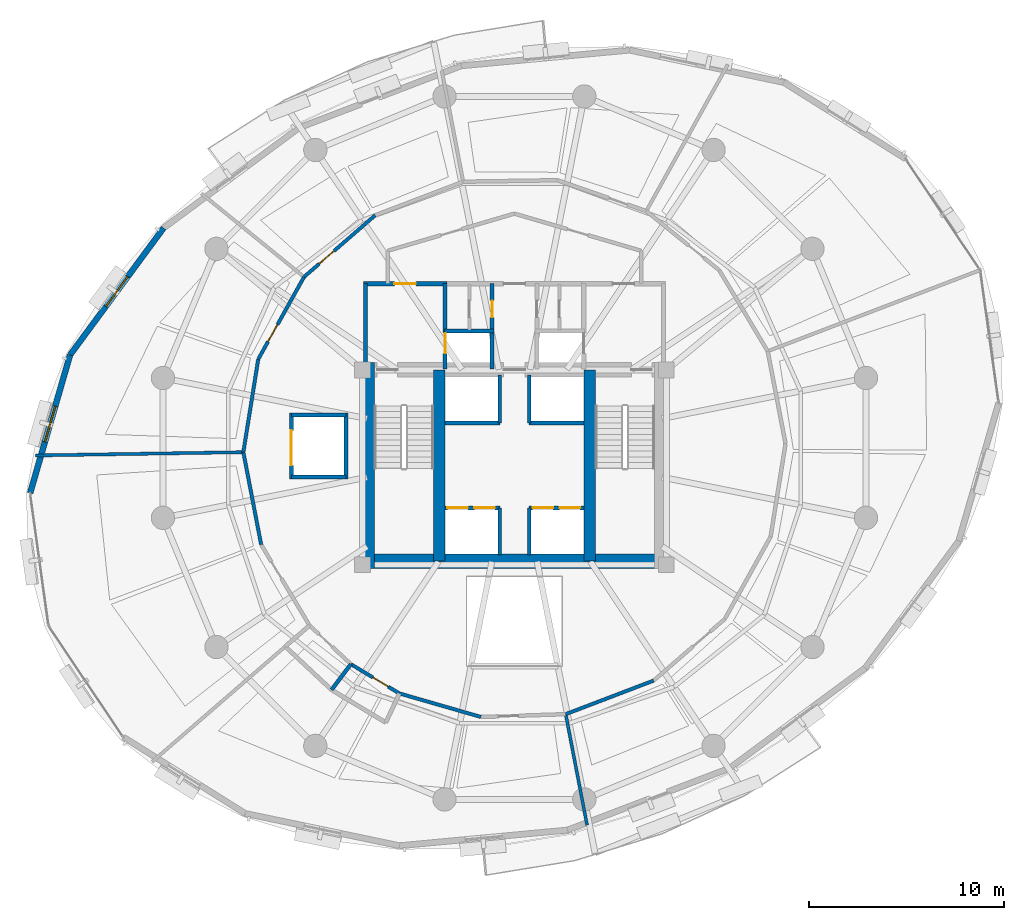
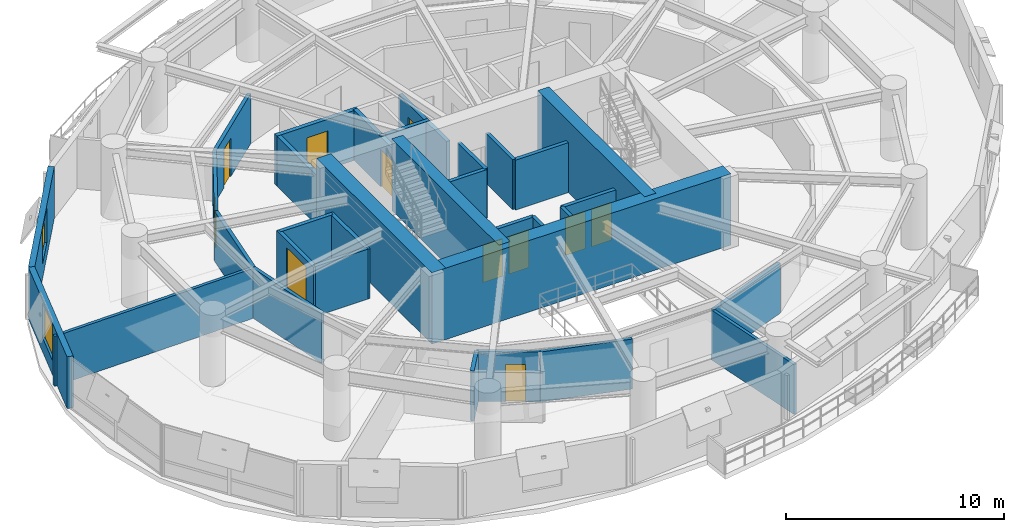
# One storey, part 10 of 15: 33 walls, 11 doors, 2 windows, 13 openings.
"""IFC4 building model written with IfcOpenShell, lengths in metres."""

from ifc_helpers import new_model, si_unit, direction, frame, frame_2d, origin, place, context, subcontext, project, spatial, rectangle, extrude, material, layer, layer_set, type_object, element, fill, save


model = new_model("IFC4")

# Units and contexts
model_context = context("Model", 3, precision=1e-05, world=origin(), true_north=direction((0.0, 1.0)))
body_context = subcontext(model_context, "Body", "Model", "MODEL_VIEW")
ifc_project = project(units=[si_unit("LENGTHUNIT", "METRE"), si_unit("AREAUNIT", "SQUARE_METRE"), si_unit("VOLUMEUNIT", "CUBIC_METRE"), si_unit("PLANEANGLEUNIT", "RADIAN"), si_unit("MASSUNIT", "GRAM", prefix="KILO"), si_unit("THERMODYNAMICTEMPERATUREUNIT", "KELVIN"), si_unit("POWERUNIT", "WATT")], contexts=[model_context])

# Site, building, storey
site_placement = place(None, origin())
site = spatial("IfcSite", under=ifc_project, at=site_placement, CompositionType="ELEMENT")
building_placement = place(site_placement, origin())
building = spatial("IfcBuilding", under=site, at=building_placement, Name="Ocrelia Relay Tower", CompositionType="ELEMENT")
storey_placement = place(building_placement, frame((0.0, 0.0, 121.800048828125)))
storey = spatial("IfcBuildingStorey", under=building, at=storey_placement, Name="L28", CompositionType="ELEMENT", Elevation=121.800048828125)

# Walls
ifc_material_1 = material(Name="Concrete C60/75", Category="concrete")
ifc_layer_1 = layer(ifc_material_1, 0.75, Name="Concrete C60/75")
ifc_layer_set_1 = layer_set([ifc_layer_1], Name="Concrete C60/75")
wall_type_1 = type_object("IfcWallType", Name="CW-CORE-750", PredefinedType="SHEAR", material=ifc_layer_set_1)
wall_1_placement = place(storey_placement, frame((26.072021484375, 20.18701171875, 0.0), z_axis=(0.0, 0.0, 1.0), x_axis=(1.0, 0.0, 0.0)))
element("IfcWall", 1, at=wall_1_placement, inside=storey, type_object=wall_type_1, Name="L28 Core Shear Wall S", PredefinedType="SHEAR", context=body_context, shape_type="SweptSolid", body=[
    extrude(rectangle(XDim=15.865966796875, YDim=0.75, at=frame_2d((7.93310546875, 0.0))), origin(), (0.0, 0.0, 1.0), 4.0),
])
wall_2_placement = place(storey_placement, frame((26.447021484375, 19.81201171875, 0.0), z_axis=(0.0, 0.0, 1.0), x_axis=(0.0, 1.0, 0.0)))
element("IfcWall", 2, at=wall_2_placement, inside=storey, type_object=wall_type_1, Name="L28 Core Shear Wall W", PredefinedType="SHEAR", context=body_context, shape_type="SweptSolid", body=[
    extrude(rectangle(XDim=10.575927734375, YDim=0.75, at=frame_2d((5.2880859375, 0.0))), origin(), (0.0, 0.0, 1.0), 4.0),
])
for number, where, z_axis, x_axis, name in (
    (3, (30.137939453125, 20.18701171875, 0.0), (0.0, 0.0, 1.0), (0.0, 1.0, 0.0), "L28 Core Shear Wall SPW"),
    (4, (37.8720703125, 20.18701171875, 0.0), (0.0, 0.0, 1.0), (0.0, 1.0, 0.0), "L28 Core Shear Wall SPE"),
):
    element("IfcWall", number, at=place(storey_placement, frame(where, z_axis=z_axis, x_axis=x_axis)), inside=storey, type_object=wall_type_1, Name=name, PredefinedType="SHEAR", context=body_context, shape_type="SweptSolid", body=[
        extrude(rectangle(XDim=9.825927734375, YDim=0.60009765625, at=frame_2d((4.9130859375, 0.0))), origin(), (0.0, 0.0, 1.0), 4.0),
    ])

# Wall, opening, door
ifc_material_2 = material(Name="Gypsum Fireboard Partition EI60", Category="gypsum")
ifc_layer_2 = layer(ifc_material_2, 0.179931640625, Name="Gypsum Fireboard Partition EI60")
ifc_layer_set_2 = layer_set([ifc_layer_2], Name="Gypsum Fireboard Partition EI60")
wall_type_2 = type_object("IfcWallType", Name="W-CORR-EI60-180", PredefinedType="PARTITIONING", material=ifc_layer_set_2)
wall_3_placement = place(storey_placement, frame((25.603271484375, 14.897705078125, 0.0), z_axis=(0.0, 0.0, 1.0), x_axis=(0.856276585025, -0.516517579504, 0.0)))
wall_3 = element("IfcWall", 5, at=wall_3_placement, inside=storey, type_object=wall_type_2, Name="L28 Accessible Toilet Corridor Wall", PredefinedType="PARTITIONING", context=body_context, shape_type="SweptSolid", body=[
    extrude(rectangle(XDim=2.91015625, YDim=0.179931640625, at=frame_2d((1.455078125, 0.0))), origin(), (0.0, 0.0, 1.0), 2.800048828125),
])
opening_1_placement = place(wall_3_placement, frame((1.321044921875, 0.0, 0.0)))
opening_1 = element("IfcOpeningElement", 6, at=opening_1_placement, cuts=wall_3, Name="Opening D-WC92", PredefinedType="OPENING", context=body_context, shape_type="SweptSolid", body=[
    extrude(rectangle(XDim=0.919921875, YDim=2.10009765625, at=frame_2d((0.4599609375, 1.050048828125))), frame((0.0, 0.10009765625, 0.0), z_axis=(0.0, -1.0, 0.0), x_axis=(1.0, 0.0, 0.0)), (0.0, 0.0, 1.0), 0.199951171875),
])
ifc_material_3 = material(Name="Laminate washroom door", Category="wood")
door_type_1 = type_object("IfcDoorType", Name="DR-WC-920", OperationType="NOTDEFINED", PredefinedType="DOOR", material=ifc_material_3)
door_1_placement = place(opening_1_placement, origin())
door_1 = element("IfcDoor", 7, at=door_1_placement, inside=storey, type_object=door_type_1, Name="L28 Accessible Toilet Door", OperationType="SINGLE_SWING_LEFT", OverallHeight=2.10009765625, OverallWidth=0.919921875, PredefinedType="DOOR", context=body_context, shape_type="SweptSolid", body=[
    extrude(rectangle(XDim=0.919921875, YDim=2.10009765625, at=frame_2d((0.4599609375, 1.050048828125))), frame((0.0, 0.02490234375, 0.0), z_axis=(0.0, -1.0, 0.0), x_axis=(1.0, 0.0, 0.0)), (0.0, 0.0, 1.0), 0.050048828125),
])
fill(opening_1, door_1)

# Walls
wall_4_placement = place(storey_placement, frame((28.09521484375, 13.39453125, 0.0), z_axis=(0.0, 0.0, 1.0), x_axis=(0.960777931748, -0.277318888404, 0.0)))
element("IfcWall", 8, at=wall_4_placement, inside=storey, type_object=wall_type_2, Name="L28 Innovation Club Room Corridor Partition 1", PredefinedType="PARTITIONING", context=body_context, shape_type="SweptSolid", body=[
    extrude(rectangle(XDim=4.355224609375, YDim=0.179931640625, at=frame_2d((2.177734375, 0.0))), origin(), (0.0, 0.0, 1.0), 2.800048828125),
])
wall_5_placement = place(storey_placement, frame((36.632080078125, 12.3310546875, 0.0), z_axis=(0.0, 0.0, 1.0), x_axis=(0.934205840652, 0.356734421232, 0.0)))
element("IfcWall", 9, at=wall_5_placement, inside=storey, type_object=wall_type_2, Name="L28 Optical Switching Hall A Corridor Partition 1", PredefinedType="PARTITIONING", context=body_context, shape_type="SweptSolid", body=[
    extrude(rectangle(XDim=4.83447265625, YDim=0.179931640625, at=frame_2d((2.417236328125, 0.0))), origin(), (0.0, 0.0, 1.0), 2.800048828125),
])

# Wall, opening, door
wall_6_placement = place(storey_placement, frame((26.8515625, 37.9443359375, 0.0), z_axis=(0.0, 0.0, 1.0), x_axis=(-0.755849022926, -0.654745946564, 0.0)))
wall_6 = element("IfcWall", 10, at=wall_6_placement, inside=storey, type_object=wall_type_2, Name="L28 Staff Wellness Room Corridor Partition 2", PredefinedType="PARTITIONING", context=body_context, shape_type="SweptSolid", body=[
    extrude(rectangle(XDim=4.83447265625, YDim=0.179931640625, at=frame_2d((2.417236328125, 0.0))), origin(), (0.0, 0.0, 1.0), 2.800048828125),
])
opening_2_placement = place(wall_6_placement, frame((2.80078125, 0.0, 0.0)))
opening_2 = element("IfcOpeningElement", 11, at=opening_2_placement, cuts=wall_6, Name="Opening D-RM100", PredefinedType="OPENING", context=body_context, shape_type="SweptSolid", body=[
    extrude(rectangle(XDim=1.0, YDim=2.14990234375, at=frame_2d((0.5, 1.074951171875))), frame((0.0, 0.10009765625, 0.0), z_axis=(0.0, -1.0, 0.0), x_axis=(1.0, 0.0, 0.0)), (0.0, 0.0, 1.0), 0.199951171875),
])
ifc_material_4 = material(Name="Acoustic oak veneer fire door", Category="wood")
door_type_2 = type_object("IfcDoorType", Name="DR-ROOM-FD60-1000", OperationType="NOTDEFINED", PredefinedType="DOOR", material=ifc_material_4)
door_2_placement = place(opening_2_placement, origin())
door_2 = element("IfcDoor", 12, at=door_2_placement, inside=storey, type_object=door_type_2, Name="L28 Staff Wellness Room Entrance Door", OperationType="SINGLE_SWING_RIGHT", OverallHeight=2.14990234375, OverallWidth=1.0, PredefinedType="DOOR", context=body_context, shape_type="SweptSolid", body=[
    extrude(rectangle(XDim=1.0, YDim=2.14990234375, at=frame_2d((0.5, 1.074951171875))), frame((0.0, 0.02490234375, 0.0), z_axis=(0.0, -1.0, 0.0), x_axis=(1.0, 0.0, 0.0)), (0.0, 0.0, 1.0), 0.050048828125),
])
fill(opening_2, door_2)

wall_7_placement = place(storey_placement, frame((23.197509765625, 34.779052734375, 0.0), z_axis=(0.0, 0.0, 1.0), x_axis=(-0.486367394504, -0.873754403459, 0.0)))
wall_7 = element("IfcWall", 13, at=wall_7_placement, inside=storey, type_object=wall_type_2, Name="L28 Shift Staff Lounge Corridor Partition 1", PredefinedType="PARTITIONING", context=body_context, shape_type="SweptSolid", body=[
    extrude(rectangle(XDim=4.83447265625, YDim=0.179931640625, at=frame_2d((2.417236328125, 0.0))), origin(), (0.0, 0.0, 1.0), 2.800048828125),
])
opening_3_placement = place(wall_7_placement, frame((2.80078125, 0.0, 0.0)))
opening_3 = element("IfcOpeningElement", 14, at=opening_3_placement, cuts=wall_7, Name="Opening D-RM100", PredefinedType="OPENING", context=body_context, shape_type="SweptSolid", body=[
    extrude(rectangle(XDim=1.0, YDim=2.14990234375, at=frame_2d((0.5, 1.074951171875))), frame((0.0, 0.10009765625, 0.0), z_axis=(0.0, -1.0, 0.0), x_axis=(1.0, 0.0, 0.0)), (0.0, 0.0, 1.0), 0.199951171875),
])
door_3_placement = place(opening_3_placement, origin())
door_3 = element("IfcDoor", 15, at=door_3_placement, inside=storey, type_object=door_type_2, Name="L28 Shift Staff Lounge Entrance Door", OperationType="SINGLE_SWING_LEFT", OverallHeight=2.14990234375, OverallWidth=1.0, PredefinedType="DOOR", context=body_context, shape_type="SweptSolid", body=[
    extrude(rectangle(XDim=1.0, YDim=2.14990234375, at=frame_2d((0.5, 1.074951171875))), frame((0.0, 0.02490234375, 0.0), z_axis=(0.0, -1.0, 0.0), x_axis=(1.0, 0.0, 0.0)), (0.0, 0.0, 1.0), 0.050048828125),
])
fill(opening_3, door_3)

# Walls
wall_8_placement = place(storey_placement, frame((20.84619140625, 30.554931640625, 0.0), z_axis=(0.0, 0.0, 1.0), x_axis=(-0.158122467289, -0.987419508283, 0.0)))
element("IfcWall", 16, at=wall_8_placement, inside=storey, type_object=wall_type_2, Name="L28 Shift Staff Lounge Corridor Partition 2", PredefinedType="PARTITIONING", context=body_context, shape_type="SweptSolid", body=[
    extrude(rectangle(XDim=4.834228515625, YDim=0.179931640625, at=frame_2d((2.4169921875, 0.0))), origin(), (0.0, 0.0, 1.0), 2.800048828125),
])
wall_9_placement = place(storey_placement, frame((20.081787109375, 25.781494140625, 0.0), z_axis=(0.0, 0.0, 1.0), x_axis=(0.18907027834, -0.98196355831, 0.0)))
element("IfcWall", 17, at=wall_9_placement, inside=storey, type_object=wall_type_2, Name="L28 Executive Reading Study Corridor Partition 1", PredefinedType="PARTITIONING", context=body_context, shape_type="SweptSolid", body=[
    extrude(rectangle(XDim=4.83447265625, YDim=0.179931640625, at=frame_2d((2.417236328125, 0.0))), origin(), (0.0, 0.0, 1.0), 2.800048828125),
])

# Wall, opening, window
ifc_material_5 = material(Name="Precast concrete C40/50 with oxide terracotta", Category="masonry")
ifc_layer_3 = layer(ifc_material_5, 0.300048828125, Name="Precast concrete C40/50 with oxide terracotta")
ifc_layer_set_3 = layer_set([ifc_layer_3], Name="Precast concrete C40/50 with oxide terracotta")
wall_type_3 = type_object("IfcWallType", Name="W-EXT-TERR-300", PredefinedType="SOLIDWALL", material=ifc_layer_set_3)
wall_10_placement = place(storey_placement, frame((15.98681640625, 37.291015625, 0.0), z_axis=(0.0, 0.0, 1.0), x_axis=(-0.593159944835, -0.805084641416, 0.0)))
wall_10 = element("IfcWall", 18, at=wall_10_placement, inside=storey, type_object=wall_type_3, Name="L28 Oxide Terracotta Facade Wall 07", PredefinedType="SOLIDWALL", context=body_context, shape_type="SweptSolid", body=[
    extrude(rectangle(XDim=8.09521484375, YDim=0.300048828125, at=frame_2d((4.047607421875, 0.0))), origin(), (0.0, 0.0, 1.0), 2.89990234375),
])
opening_4_placement = place(wall_10_placement, frame((3.097900390625, 0.0, 0.800048828125)))
opening_4 = element("IfcOpeningElement", 19, at=opening_4_placement, cuts=wall_10, Name="Opening W-06", PredefinedType="OPENING", context=body_context, shape_type="SweptSolid", body=[
    extrude(rectangle(XDim=1.89990234375, YDim=1.949951171875, at=frame_2d((0.949951171875, 0.97509765625))), frame((0.0, 0.16015625, 0.0), z_axis=(0.0, -1.0, 0.0), x_axis=(1.0, 0.0, 0.0)), (0.0, 0.0, 1.0), 0.320068359375),
])
ifc_material_6 = material(Name="Clear double-glazed low-E glass", Category="glass")
window_type = type_object("IfcWindowType", Name="WIN-Z2-1900x2100", PartitioningType="DOUBLE_PANEL_VERTICAL", PredefinedType="WINDOW", material=ifc_material_6)
window_1_placement = place(opening_4_placement, origin())
window_1 = element("IfcWindow", 20, at=window_1_placement, inside=storey, type_object=window_type, Name="L28 Facade Module Window 07", OverallHeight=1.949951171875, OverallWidth=1.89990234375, PartitioningType="SINGLE_PANEL", PredefinedType="WINDOW", context=body_context, shape_type="SweptSolid", body=[
    extrude(rectangle(XDim=1.89990234375, YDim=1.949951171875, at=frame_2d((0.949951171875, 0.97509765625))), frame((0.0, 0.030029296875, 0.0), z_axis=(0.0, -1.0, 0.0), x_axis=(1.0, 0.0, 0.0)), (0.0, 0.0, 1.0), 0.06005859375),
])
fill(opening_4, window_1)

wall_11_placement = place(storey_placement, frame((11.18505859375, 30.773681640625, 0.0), z_axis=(0.0, 0.0, 1.0), x_axis=(-0.277637317475, -0.960685963229, 0.0)))
wall_11 = element("IfcWall", 21, at=wall_11_placement, inside=storey, type_object=wall_type_3, Name="L28 Oxide Terracotta Facade Wall 08", PredefinedType="SOLIDWALL", context=body_context, shape_type="SweptSolid", body=[
    extrude(rectangle(XDim=7.383056640625, YDim=0.300048828125, at=frame_2d((3.69140625, 0.0))), origin(), (0.0, 0.0, 1.0), 2.89990234375),
])
opening_5_placement = place(wall_11_placement, frame((2.741943359375, 0.0, 0.800048828125)))
opening_5 = element("IfcOpeningElement", 22, at=opening_5_placement, cuts=wall_11, Name="Opening W-06", PredefinedType="OPENING", context=body_context, shape_type="SweptSolid", body=[
    extrude(rectangle(XDim=1.89990234375, YDim=1.949951171875, at=frame_2d((0.949951171875, 0.97509765625))), frame((0.0, 0.16015625, 0.0), z_axis=(0.0, -1.0, 0.0), x_axis=(1.0, 0.0, 0.0)), (0.0, 0.0, 1.0), 0.320068359375),
])
window_2_placement = place(opening_5_placement, origin())
window_2 = element("IfcWindow", 23, at=window_2_placement, inside=storey, type_object=window_type, Name="L28 Facade Module Window 08", OverallHeight=1.949951171875, OverallWidth=1.89990234375, PartitioningType="SINGLE_PANEL", PredefinedType="WINDOW", context=body_context, shape_type="SweptSolid", body=[
    extrude(rectangle(XDim=1.89990234375, YDim=1.949951171875, at=frame_2d((0.949951171875, 0.97509765625))), frame((0.0, 0.030029296875, 0.0), z_axis=(0.0, -1.0, 0.0), x_axis=(1.0, 0.0, 0.0)), (0.0, 0.0, 1.0), 0.06005859375),
])
fill(opening_5, window_2)

# Wall
ifc_material_7 = material(Name="Concrete C50/60", Category="concrete")
ifc_layer_4 = layer(ifc_material_7, 0.219970703125, Name="Concrete C50/60")
ifc_layer_set_4 = layer_set([ifc_layer_4], Name="Concrete C50/60")
wall_type_4 = type_object("IfcWallType", Name="W-FFL-EI120-220", PredefinedType="SOLIDWALL", material=ifc_layer_set_4)
wall_12_placement = place(storey_placement, frame((26.35009765625, 30.050048828125, 0.0), z_axis=(0.0, 0.0, 1.0), x_axis=(0.0, 1.0, 0.0)))
element("IfcWall", 24, at=wall_12_placement, inside=storey, type_object=wall_type_4, Name="L28 W Fire Service Lift Lobby West Wall", PredefinedType="SOLIDWALL", context=body_context, shape_type="SweptSolid", body=[
    extrude(rectangle(XDim=4.3798828125, YDim=0.219970703125, at=frame_2d((2.18994140625, 0.0))), origin(), (0.0, 0.0, 1.0), 2.800048828125),
])

# Wall, opening, door
wall_13_placement = place(storey_placement, frame((30.43994140625, 30.050048828125, 0.0), z_axis=(0.0, 0.0, 1.0), x_axis=(0.0, 1.0, 0.0)))
wall_13 = element("IfcWall", 25, at=wall_13_placement, inside=storey, type_object=wall_type_4, Name="L28 W Fire Service Lift Lobby East Wall", PredefinedType="SOLIDWALL", context=body_context, shape_type="SweptSolid", body=[
    extrude(rectangle(XDim=4.3798828125, YDim=0.219970703125, at=frame_2d((2.18994140625, 0.0))), origin(), (0.0, 0.0, 1.0), 2.800048828125),
])
opening_6_placement = place(wall_13_placement, frame((0.800048828125, 0.0, 0.0)))
opening_6 = element("IfcOpeningElement", 26, at=opening_6_placement, cuts=wall_13, Name="Opening LD-FFL1", PredefinedType="OPENING", context=body_context, shape_type="SweptSolid", body=[
    extrude(rectangle(XDim=1.050048828125, YDim=2.10009765625, at=frame_2d((0.52490234375, 1.050048828125))), frame((0.0, 0.1201171875, 0.0), z_axis=(0.0, -1.0, 0.0), x_axis=(1.0, 0.0, 0.0)), (0.0, 0.0, 1.0), 0.239990234375),
])
ifc_material_8 = material(Name="Brushed stainless steel S355 lift landing door", Category="steel")
door_type_3 = type_object("IfcDoorType", Name="DR-LIFT-LAND-1050", OperationType="DOUBLE_DOOR_SLIDING", PredefinedType="USERDEFINED", material=ifc_material_8)
door_4_placement = place(opening_6_placement, origin())
door_4 = element("IfcDoor", 27, at=door_4_placement, inside=storey, type_object=door_type_3, Name="L28 Firefighting Lift FFL1 Sliding Landing Door", ObjectType="LANDING DOOR", OperationType="DOUBLE_DOOR_SLIDING", OverallHeight=2.10009765625, OverallWidth=1.050048828125, PredefinedType="USERDEFINED", context=body_context, shape_type="SweptSolid", body=[
    extrude(rectangle(XDim=1.050048828125, YDim=2.10009765625, at=frame_2d((0.52490234375, 1.050048828125))), frame((0.0, 0.02490234375, 0.0), z_axis=(0.0, -1.0, 0.0), x_axis=(1.0, 0.0, 0.0)), (0.0, 0.0, 1.0), 0.050048828125),
])
fill(opening_6, door_4)

wall_14_placement = place(storey_placement, frame((26.239990234375, 34.429931640625, 0.0), z_axis=(0.0, 0.0, 1.0), x_axis=(1.0, 0.0, 0.0)))
wall_14 = element("IfcWall", 28, at=wall_14_placement, inside=storey, type_object=wall_type_4, Name="L28 W Fire Service Lift Lobby North Wall", PredefinedType="SOLIDWALL", context=body_context, shape_type="SweptSolid", body=[
    extrude(rectangle(XDim=4.31005859375, YDim=0.219970703125, at=frame_2d((2.155029296875, 0.0))), origin(), (0.0, 0.0, 1.0), 2.800048828125),
])
opening_7_placement = place(wall_14_placement, frame((1.60009765625, 0.0, 0.0)))
opening_7 = element("IfcOpeningElement", 29, at=opening_7_placement, cuts=wall_14, Name="Opening D-FD60", PredefinedType="OPENING", context=body_context, shape_type="SweptSolid", body=[
    extrude(rectangle(XDim=1.10009765625, YDim=2.14990234375, at=frame_2d((0.550048828125, 1.074951171875))), frame((0.0, 0.1201171875, 0.0), z_axis=(0.0, -1.0, 0.0), x_axis=(1.0, 0.0, 0.0)), (0.0, 0.0, 1.0), 0.239990234375),
])
ifc_material_9 = material(Name="Timber-core 60-min acoustic fire door", Category="wood")
door_type_4 = type_object("IfcDoorType", Name="DR-LOBBY-FD60-1100", OperationType="NOTDEFINED", PredefinedType="DOOR", material=ifc_material_9)
door_5_placement = place(opening_7_placement, origin())
door_5 = element("IfcDoor", 30, at=door_5_placement, inside=storey, type_object=door_type_4, Name="L28 W Fire Service Lift Lobby Exit Door", OperationType="SINGLE_SWING_LEFT", OverallHeight=2.14990234375, OverallWidth=1.10009765625, PredefinedType="DOOR", context=body_context, shape_type="SweptSolid", body=[
    extrude(rectangle(XDim=1.10009765625, YDim=2.14990234375, at=frame_2d((0.550048828125, 1.074951171875))), frame((0.0, 0.02490234375, 0.0), z_axis=(0.0, -1.0, 0.0), x_axis=(1.0, 0.0, 0.0)), (0.0, 0.0, 1.0), 0.050048828125),
])
fill(opening_7, door_5)

# Walls
ifc_material_10 = material(Name="Acoustic Fireboard Partition EI60", Category="gypsum")
ifc_layer_5 = layer(ifc_material_10, 0.159912109375, Name="Acoustic Fireboard Partition EI60")
ifc_layer_set_5 = layer_set([ifc_layer_5], Name="Acoustic Fireboard Partition EI60")
wall_type_5 = type_object("IfcWallType", Name="W-PART-160", PredefinedType="PARTITIONING", material=ifc_layer_set_5)
wall_15_placement = place(storey_placement, frame((36.632080078125, 12.3310546875, 0.0), z_axis=(0.0, 0.0, 1.0), x_axis=(0.18909703684, -0.981958405768, 0.0)))
element("IfcWall", 31, at=wall_15_placement, inside=storey, type_object=wall_type_5, Name="L28 Innovation Club Room Radial Partition", PredefinedType="PARTITIONING", context=body_context, shape_type="SweptSolid", body=[
    extrude(rectangle(XDim=5.803466796875, YDim=0.159912109375, at=frame_2d((2.90185546875, 0.0))), origin(), (0.0, 0.0, 1.0), 2.800048828125),
])
wall_16_placement = place(storey_placement, frame((20.081787109375, 25.781494140625, 0.0), z_axis=(0.0, 0.0, 1.0), x_axis=(-0.999876419075, -0.015720896209, 0.0)))
element("IfcWall", 32, at=wall_16_placement, inside=storey, type_object=wall_type_5, Name="L28 Shift Staff Lounge Radial Partition", PredefinedType="PARTITIONING", context=body_context, shape_type="SweptSolid", body=[
    extrude(rectangle(XDim=10.684326171875, YDim=0.159912109375, at=frame_2d((5.34228515625, 0.0))), origin(), (0.0, 0.0, 1.0), 2.800048828125),
])
ifc_material_11 = material(Name="Moisture-Resistant Fireboard Chase Wall EI60", Category="gypsum")
ifc_layer_6 = layer(ifc_material_11, 0.199951171875, Name="Moisture-Resistant Fireboard Chase Wall EI60")
ifc_layer_set_6 = layer_set([ifc_layer_6], Name="Moisture-Resistant Fireboard Chase Wall EI60")
wall_type_6 = type_object("IfcWallType", Name="W-PLUMB-200", PredefinedType="PLUMBINGWALL", material=ifc_layer_set_6)
wall_17_placement = place(storey_placement, frame((25.603271484375, 14.897705078125, 0.0), z_axis=(0.0, 0.0, 1.0), x_axis=(-0.603096793963, -0.797668011839, 0.0)))
element("IfcWall", 33, at=wall_17_placement, inside=storey, type_object=wall_type_6, Name="L28 Staff Toilet Plumbing Radial Wall", PredefinedType="PLUMBINGWALL", context=body_context, shape_type="SweptSolid", body=[
    extrude(rectangle(XDim=1.64990234375, YDim=0.199951171875, at=frame_2d((0.824951171875, 0.0))), origin(), (0.0, 0.0, 1.0), 2.800048828125),
])
ifc_layer_7 = layer(ifc_material_7, 0.199951171875, Name="Concrete C50/60")
ifc_layer_set_7 = layer_set([ifc_layer_7], Name="Concrete C50/60")
wall_type_7 = type_object("IfcWallType", Name="W-SHAFT-EI120-200", PredefinedType="SOLIDWALL", material=ifc_layer_set_7)
wall_18_placement = place(storey_placement, frame((30.39990234375, 32.0, 0.0), z_axis=(0.0, 0.0, 1.0), x_axis=(1.0, 0.0, 0.0)))
element("IfcWall", 34, at=wall_18_placement, inside=storey, type_object=wall_type_7, Name="L28 FFL1 Hoistway North Wall", PredefinedType="SOLIDWALL", context=body_context, shape_type="SweptSolid", body=[
    extrude(rectangle(XDim=2.550048828125, YDim=0.199951171875, at=frame_2d((1.27490234375, 0.0))), origin(), (0.0, 0.0, 1.0), 2.800048828125),
])

# Wall, opening, door
wall_19_placement = place(storey_placement, frame((32.85009765625, 30.050048828125, 0.0), z_axis=(0.0, 0.0, 1.0), x_axis=(0.0, 1.0, 0.0)))
wall_19 = element("IfcWall", 35, at=wall_19_placement, inside=storey, type_object=wall_type_7, Name="L28 FFL1 and Service Vestibule Wall", PredefinedType="SOLIDWALL", context=body_context, shape_type="SweptSolid", body=[
    extrude(rectangle(XDim=4.3798828125, YDim=0.199951171875, at=frame_2d((2.18994140625, 0.0))), origin(), (0.0, 0.0, 1.0), 2.800048828125),
])
opening_8_placement = place(wall_19_placement, frame((2.64990234375, 0.0, 0.0)))
opening_8 = element("IfcOpeningElement", 36, at=opening_8_placement, cuts=wall_19, Name="Opening D-RS86", PredefinedType="OPENING", context=body_context, shape_type="SweptSolid", body=[
    extrude(rectangle(XDim=0.860107421875, YDim=2.050048828125, at=frame_2d((0.43017578125, 1.02490234375))), frame((0.0, 0.10986328125, 0.0), z_axis=(0.0, -1.0, 0.0), x_axis=(1.0, 0.0, 0.0)), (0.0, 0.0, 1.0), 0.219970703125),
])
ifc_material_12 = material(Name="Steel S355 riser access fire door", Category="steel")
door_type_5 = type_object("IfcDoorType", Name="DR-RISER-TRAP-860", OperationType="NOTDEFINED", PredefinedType="TRAPDOOR", material=ifc_material_12)
door_6_placement = place(opening_8_placement, origin())
door_6 = element("IfcDoor", 37, at=door_6_placement, inside=storey, type_object=door_type_5, Name="L28 Core Support Room W Door", OperationType="SINGLE_SWING_RIGHT", OverallHeight=2.050048828125, OverallWidth=0.860107421875, PredefinedType="TRAPDOOR", context=body_context, shape_type="SweptSolid", body=[
    extrude(rectangle(XDim=0.860107421875, YDim=2.050048828125, at=frame_2d((0.43017578125, 1.02490234375))), frame((0.0, 0.02490234375, 0.0), z_axis=(0.0, -1.0, 0.0), x_axis=(1.0, 0.0, 0.0)), (0.0, 0.0, 1.0), 0.050048828125),
])
fill(opening_8, door_6)

# Wall, openings, doors
wall_20_placement = place(storey_placement, frame((30.43994140625, 22.919921875, 0.0), z_axis=(0.0, 0.0, 1.0), x_axis=(1.0, 0.0, 0.0)))
wall_20 = element("IfcWall", 38, at=wall_20_placement, inside=storey, type_object=wall_type_7, Name="L28 Low-Rise Lift Hoistway Wall W", PredefinedType="SOLIDWALL", context=body_context, shape_type="SweptSolid", body=[
    extrude(rectangle(XDim=2.81005859375, YDim=0.199951171875, at=frame_2d((1.405029296875, 0.0))), origin(), (0.0, 0.0, 1.0), 2.800048828125),
])
opening_9_placement = place(wall_20_placement, frame((0.1201171875, 0.0, 0.0)))
opening_9 = element("IfcOpeningElement", 39, at=opening_9_placement, cuts=wall_20, Name="Opening LD-PL1", PredefinedType="OPENING", context=body_context, shape_type="SweptSolid", body=[
    extrude(rectangle(XDim=1.050048828125, YDim=2.10009765625, at=frame_2d((0.52490234375, 1.050048828125))), frame((0.0, 0.10986328125, 0.0), z_axis=(0.0, -1.0, 0.0), x_axis=(1.0, 0.0, 0.0)), (0.0, 0.0, 1.0), 0.219970703125),
])
opening_10_placement = place(wall_20_placement, frame((1.5, 0.0, 0.0)))
opening_10 = element("IfcOpeningElement", 40, at=opening_10_placement, cuts=wall_20, Name="Opening LD-PL2", PredefinedType="OPENING", context=body_context, shape_type="SweptSolid", body=[
    extrude(rectangle(XDim=1.050048828125, YDim=2.10009765625, at=frame_2d((0.52490234375, 1.050048828125))), frame((0.0, 0.10986328125, 0.0), z_axis=(0.0, -1.0, 0.0), x_axis=(1.0, 0.0, 0.0)), (0.0, 0.0, 1.0), 0.219970703125),
])
door_7_placement = place(opening_9_placement, origin())
door_7 = element("IfcDoor", 41, at=door_7_placement, inside=storey, type_object=door_type_3, Name="L28 Passenger Lift PL1 Sliding Landing Door", ObjectType="LANDING DOOR", OperationType="DOUBLE_DOOR_SLIDING", OverallHeight=2.10009765625, OverallWidth=1.050048828125, PredefinedType="USERDEFINED", context=body_context, shape_type="SweptSolid", body=[
    extrude(rectangle(XDim=1.050048828125, YDim=2.10009765625, at=frame_2d((0.52490234375, 1.050048828125))), frame((0.0, 0.02490234375, 0.0), z_axis=(0.0, -1.0, 0.0), x_axis=(1.0, 0.0, 0.0)), (0.0, 0.0, 1.0), 0.050048828125),
])
fill(opening_9, door_7)
door_8_placement = place(opening_10_placement, origin())
door_8 = element("IfcDoor", 42, at=door_8_placement, inside=storey, type_object=door_type_3, Name="L28 Passenger Lift PL2 Sliding Landing Door", ObjectType="LANDING DOOR", OperationType="DOUBLE_DOOR_SLIDING", OverallHeight=2.10009765625, OverallWidth=1.050048828125, PredefinedType="USERDEFINED", context=body_context, shape_type="SweptSolid", body=[
    extrude(rectangle(XDim=1.050048828125, YDim=2.10009765625, at=frame_2d((0.52490234375, 1.050048828125))), frame((0.0, 0.02490234375, 0.0), z_axis=(0.0, -1.0, 0.0), x_axis=(1.0, 0.0, 0.0)), (0.0, 0.0, 1.0), 0.050048828125),
])
fill(opening_10, door_8)

# Wall
wall_21_placement = place(storey_placement, frame((33.25, 20.5, 0.0), z_axis=(0.0, 0.0, 1.0), x_axis=(0.0, 1.0, 0.0)))
element("IfcWall", 43, at=wall_21_placement, inside=storey, type_object=wall_type_7, Name="L28 Low-Rise Lift Throat Wall W", PredefinedType="SOLIDWALL", context=body_context, shape_type="SweptSolid", body=[
    extrude(rectangle(XDim=2.419921875, YDim=0.179931640625, at=frame_2d((1.2099609375, 0.0))), origin(), (0.0, 0.0, 1.0), 2.800048828125),
])

# Wall, openings, doors
wall_22_placement = place(storey_placement, frame((34.75, 22.919921875, 0.0), z_axis=(0.0, 0.0, 1.0), x_axis=(1.0, 0.0, 0.0)))
wall_22 = element("IfcWall", 44, at=wall_22_placement, inside=storey, type_object=wall_type_7, Name="L28 Low-Rise Lift Hoistway Wall E", PredefinedType="SOLIDWALL", context=body_context, shape_type="SweptSolid", body=[
    extrude(rectangle(XDim=2.81005859375, YDim=0.199951171875, at=frame_2d((1.405029296875, 0.0))), origin(), (0.0, 0.0, 1.0), 2.800048828125),
])
opening_11_placement = place(wall_22_placement, frame((0.18994140625, 0.0, 0.0)))
opening_11 = element("IfcOpeningElement", 45, at=opening_11_placement, cuts=wall_22, Name="Opening LD-PL3", PredefinedType="OPENING", context=body_context, shape_type="SweptSolid", body=[
    extrude(rectangle(XDim=1.050048828125, YDim=2.10009765625, at=frame_2d((0.52490234375, 1.050048828125))), frame((0.0, 0.10986328125, 0.0), z_axis=(0.0, -1.0, 0.0), x_axis=(1.0, 0.0, 0.0)), (0.0, 0.0, 1.0), 0.219970703125),
])
opening_12_placement = place(wall_22_placement, frame((1.570068359375, 0.0, 0.0)))
opening_12 = element("IfcOpeningElement", 46, at=opening_12_placement, cuts=wall_22, Name="Opening LD-PL4", PredefinedType="OPENING", context=body_context, shape_type="SweptSolid", body=[
    extrude(rectangle(XDim=1.050048828125, YDim=2.10009765625, at=frame_2d((0.52490234375, 1.050048828125))), frame((0.0, 0.10986328125, 0.0), z_axis=(0.0, -1.0, 0.0), x_axis=(1.0, 0.0, 0.0)), (0.0, 0.0, 1.0), 0.219970703125),
])
door_9_placement = place(opening_11_placement, origin())
door_9 = element("IfcDoor", 47, at=door_9_placement, inside=storey, type_object=door_type_3, Name="L28 Passenger Lift PL3 Sliding Landing Door", ObjectType="LANDING DOOR", OperationType="DOUBLE_DOOR_SLIDING", OverallHeight=2.10009765625, OverallWidth=1.050048828125, PredefinedType="USERDEFINED", context=body_context, shape_type="SweptSolid", body=[
    extrude(rectangle(XDim=1.050048828125, YDim=2.10009765625, at=frame_2d((0.52490234375, 1.050048828125))), frame((0.0, 0.02490234375, 0.0), z_axis=(0.0, -1.0, 0.0), x_axis=(1.0, 0.0, 0.0)), (0.0, 0.0, 1.0), 0.050048828125),
])
fill(opening_11, door_9)
door_10_placement = place(opening_12_placement, origin())
door_10 = element("IfcDoor", 48, at=door_10_placement, inside=storey, type_object=door_type_3, Name="L28 Passenger Lift PL4 Sliding Landing Door", ObjectType="LANDING DOOR", OperationType="DOUBLE_DOOR_SLIDING", OverallHeight=2.10009765625, OverallWidth=1.050048828125, PredefinedType="USERDEFINED", context=body_context, shape_type="SweptSolid", body=[
    extrude(rectangle(XDim=1.050048828125, YDim=2.10009765625, at=frame_2d((0.52490234375, 1.050048828125))), frame((0.0, 0.02490234375, 0.0), z_axis=(0.0, -1.0, 0.0), x_axis=(1.0, 0.0, 0.0)), (0.0, 0.0, 1.0), 0.050048828125),
])
fill(opening_12, door_10)

# Walls
wall_23_placement = place(storey_placement, frame((34.75, 20.5, 0.0), z_axis=(0.0, 0.0, 1.0), x_axis=(0.0, 1.0, 0.0)))
element("IfcWall", 49, at=wall_23_placement, inside=storey, type_object=wall_type_7, Name="L28 Low-Rise Lift Throat Wall E", PredefinedType="SOLIDWALL", context=body_context, shape_type="SweptSolid", body=[
    extrude(rectangle(XDim=2.419921875, YDim=0.179931640625, at=frame_2d((1.2099609375, 0.0))), origin(), (0.0, 0.0, 1.0), 2.800048828125),
])
wall_24_placement = place(storey_placement, frame((30.43994140625, 27.280029296875, 0.0), z_axis=(0.0, 0.0, 1.0), x_axis=(1.0, 0.0, 0.0)))
element("IfcWall", 50, at=wall_24_placement, inside=storey, type_object=wall_type_7, Name="L28 High-Rise Lift Hoistway Wall W", PredefinedType="SOLIDWALL", context=body_context, shape_type="SweptSolid", body=[
    extrude(rectangle(XDim=2.81005859375, YDim=0.199951171875, at=frame_2d((1.405029296875, 0.0))), origin(), (0.0, 0.0, 1.0), 2.800048828125),
])
wall_25_placement = place(storey_placement, frame((33.25, 27.280029296875, 0.0), z_axis=(0.0, 0.0, 1.0), x_axis=(0.0, 1.0, 0.0)))
element("IfcWall", 51, at=wall_25_placement, inside=storey, type_object=wall_type_7, Name="L28 High-Rise Lift Throat Wall W", PredefinedType="SOLIDWALL", context=body_context, shape_type="SweptSolid", body=[
    extrude(rectangle(XDim=2.469970703125, YDim=0.179931640625, at=frame_2d((1.23486328125, 0.0))), origin(), (0.0, 0.0, 1.0), 2.800048828125),
])
wall_26_placement = place(storey_placement, frame((34.75, 27.280029296875, 0.0), z_axis=(0.0, 0.0, 1.0), x_axis=(1.0, 0.0, 0.0)))
element("IfcWall", 52, at=wall_26_placement, inside=storey, type_object=wall_type_7, Name="L28 High-Rise Lift Hoistway Wall E", PredefinedType="SOLIDWALL", context=body_context, shape_type="SweptSolid", body=[
    extrude(rectangle(XDim=2.81005859375, YDim=0.199951171875, at=frame_2d((1.405029296875, 0.0))), origin(), (0.0, 0.0, 1.0), 2.800048828125),
])
wall_27_placement = place(storey_placement, frame((34.75, 27.280029296875, 0.0), z_axis=(0.0, 0.0, 1.0), x_axis=(0.0, 1.0, 0.0)))
element("IfcWall", 53, at=wall_27_placement, inside=storey, type_object=wall_type_7, Name="L28 High-Rise Lift Throat Wall E", PredefinedType="SOLIDWALL", context=body_context, shape_type="SweptSolid", body=[
    extrude(rectangle(XDim=2.469970703125, YDim=0.179931640625, at=frame_2d((1.23486328125, 0.0))), origin(), (0.0, 0.0, 1.0), 2.800048828125),
])

# Wall, opening, door
wall_28_placement = place(storey_placement, frame((22.550048828125, 24.39990234375, 0.0), z_axis=(0.0, 0.0, 1.0), x_axis=(0.0, 1.0, 0.0)))
wall_28 = element("IfcWall", 54, at=wall_28_placement, inside=storey, type_object=wall_type_7, Name="L28 Goods Lift Shaft West Wall", PredefinedType="SOLIDWALL", context=body_context, shape_type="SweptSolid", body=[
    extrude(rectangle(XDim=3.400146484375, YDim=0.199951171875, at=frame_2d((1.7001953125, 0.0))), origin(), (0.0, 0.0, 1.0), 2.800048828125),
])
opening_13_placement = place(wall_28_placement, frame((0.699951171875, 0.0, 0.0)))
opening_13 = element("IfcOpeningElement", 55, at=opening_13_placement, cuts=wall_28, Name="Opening LD-GL1", PredefinedType="OPENING", context=body_context, shape_type="SweptSolid", body=[
    extrude(rectangle(XDim=1.800048828125, YDim=2.39990234375, at=frame_2d((0.89990234375, 1.199951171875))), frame((0.0, 0.10986328125, 0.0), z_axis=(0.0, -1.0, 0.0), x_axis=(1.0, 0.0, 0.0)), (0.0, 0.0, 1.0), 0.219970703125),
])
ifc_material_13 = material(Name="Heavy-duty stainless steel S355 goods landing door", Category="steel")
door_type_6 = type_object("IfcDoorType", Name="DR-GOODS-LAND-1800", OperationType="DOUBLE_DOOR_SLIDING", PredefinedType="USERDEFINED", material=ifc_material_13)
door_11_placement = place(opening_13_placement, origin())
door_11 = element("IfcDoor", 56, at=door_11_placement, inside=storey, type_object=door_type_6, Name="L28 Goods Lift GL1 Sliding Landing Door", ObjectType="LANDING DOOR", OperationType="DOUBLE_DOOR_SLIDING", OverallHeight=2.39990234375, OverallWidth=1.800048828125, PredefinedType="USERDEFINED", context=body_context, shape_type="SweptSolid", body=[
    extrude(rectangle(XDim=1.800048828125, YDim=2.39990234375, at=frame_2d((0.89990234375, 1.199951171875))), frame((0.0, 0.02490234375, 0.0), z_axis=(0.0, -1.0, 0.0), x_axis=(1.0, 0.0, 0.0)), (0.0, 0.0, 1.0), 0.050048828125),
])
fill(opening_13, door_11)

# Walls
wall_29_placement = place(storey_placement, frame((25.35009765625, 24.39990234375, 0.0), z_axis=(0.0, 0.0, 1.0), x_axis=(0.0, 1.0, 0.0)))
element("IfcWall", 57, at=wall_29_placement, inside=storey, type_object=wall_type_7, Name="L28 Goods Lift Shaft E Wall", PredefinedType="SOLIDWALL", context=body_context, shape_type="SweptSolid", body=[
    extrude(rectangle(XDim=3.400146484375, YDim=0.199951171875, at=frame_2d((1.7001953125, 0.0))), origin(), (0.0, 0.0, 1.0), 2.800048828125),
])
for number, where, z_axis, x_axis, name in (
    (58, (22.550048828125, 24.5, 0.0), (0.0, 0.0, 1.0), (1.0, 0.0, 0.0), "L28 Goods Lift Shaft S Wall"),
    (59, (22.550048828125, 27.699951171875, 0.0), (0.0, 0.0, 1.0), (1.0, 0.0, 0.0), "L28 Goods Lift Shaft N Wall"),
):
    element("IfcWall", number, at=place(storey_placement, frame(where, z_axis=z_axis, x_axis=x_axis)), inside=storey, type_object=wall_type_7, Name=name, PredefinedType="SOLIDWALL", context=body_context, shape_type="SweptSolid", body=[
        extrude(rectangle(XDim=2.800048828125, YDim=0.199951171875, at=frame_2d((1.39990234375, 0.0))), origin(), (0.0, 0.0, 1.0), 2.800048828125),
    ])

save(model, "model.ifc")
